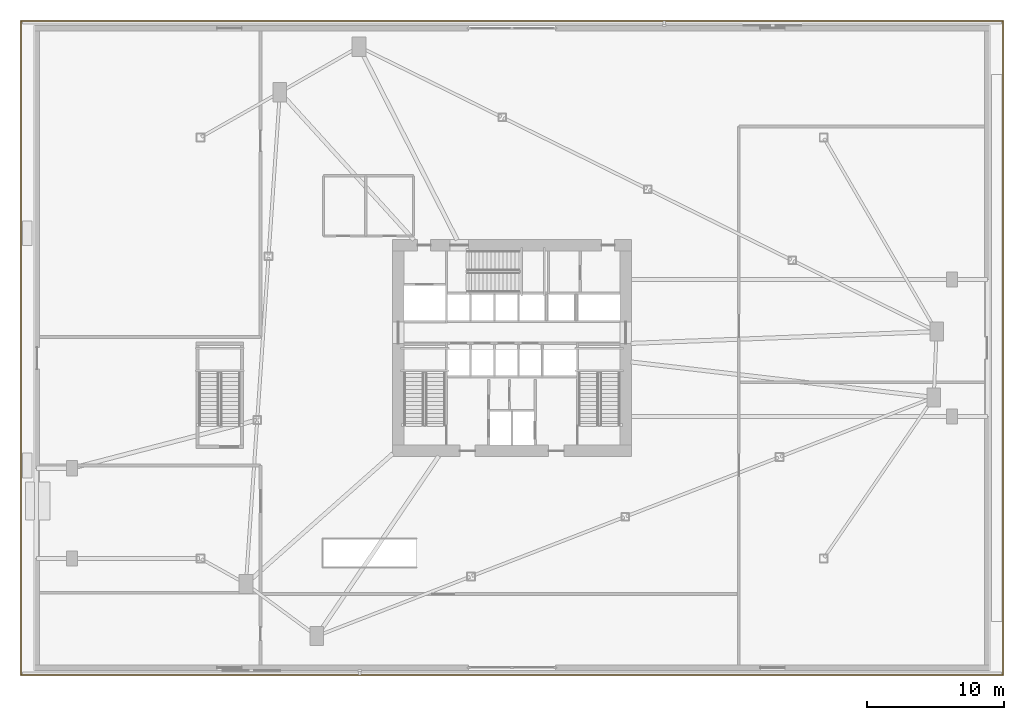
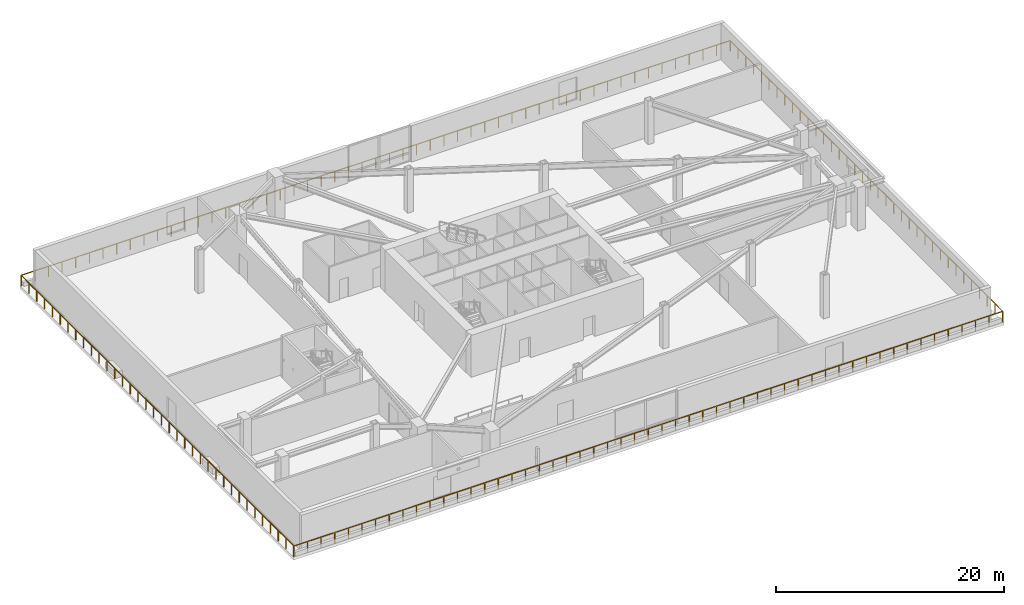
# One storey, part 12 of 14: 2 railings.
"""IFC4 building model written with IfcOpenShell, lengths in metres."""

from ifc_helpers import new_model, si_unit, direction, frame, origin, origin_2d, place, context, subcontext, project, spatial, rectangle, extrude, material, type_object, element, save


model = new_model("IFC4")

# Units and contexts
model_context = context("Model", 3, precision=1e-05, world=origin(), true_north=direction((0.0, 1.0)))
body_context = subcontext(model_context, "Body", "Model", "MODEL_VIEW")
ifc_project = project(units=[si_unit("LENGTHUNIT", "METRE"), si_unit("AREAUNIT", "SQUARE_METRE"), si_unit("VOLUMEUNIT", "CUBIC_METRE"), si_unit("PLANEANGLEUNIT", "RADIAN"), si_unit("MASSUNIT", "GRAM", prefix="KILO")], contexts=[model_context])

# Site, building, storey
site_placement = place(None, origin())
site = spatial("IfcSite", under=ifc_project, at=site_placement, CompositionType="ELEMENT")
building_placement = place(site_placement, origin())
building = spatial("IfcBuilding", under=site, at=building_placement, Name="Olszyna Solenne Hotel", CompositionType="ELEMENT")
storey_placement = place(building_placement, frame((0.0, 0.0, 5.39990234375)))
storey = spatial("IfcBuildingStorey", under=building, at=storey_placement, Name="L01", CompositionType="ELEMENT", Elevation=5.39990234375)

# Railings
ifc_material = material(Name="Steel S355J2", Category="steel")
railing_type = type_object("IfcRailingType", Name="GR-115", PredefinedType="BALUSTRADE", material=ifc_material)
railing_1_placement = place(storey_placement, frame((2.080078125, 50.52001953125, 0.0)))
element("IfcRailing", 1, at=railing_1_placement, inside=storey, type_object=railing_type, Name="Garden terrace perimeter guard balustrade GR-L01-T11", PredefinedType="BALUSTRADE", context=body_context, shape_type="SweptSolid", body=[
    extrude(rectangle(XDim=0.048095703125, YDim=0.048095703125, at=origin_2d()), frame((0.0, 0.0, 1.1259765625), z_axis=(1.0, 0.0, 0.0), x_axis=(0.0, 1.0, 0.0)), (0.0, 0.0, 1.0), 71.83984375),
    extrude(rectangle(XDim=0.048095703125, YDim=0.048095703125, at=origin_2d()), frame((71.83984375, 0.0, 1.1259765625), z_axis=(0.0, -1.0, 0.0), x_axis=(1.0, 0.0, 0.0)), (0.0, 0.0, 1.0), 47.840087890625),
    extrude(rectangle(XDim=0.0419921875, YDim=0.0419921875, at=origin_2d()), origin(), (0.0, 0.0, 1.0), 1.101806640625),
    extrude(rectangle(XDim=0.0419921875, YDim=0.0419921875, at=origin_2d()), frame((1.381591796875, 0.0, 0.0)), (0.0, 0.0, 1.0), 1.101806640625),
    extrude(rectangle(XDim=0.0419921875, YDim=0.0419921875, at=origin_2d()), frame((2.76318359375, 0.0, 0.0)), (0.0, 0.0, 1.0), 1.101806640625),
    extrude(rectangle(XDim=0.0419921875, YDim=0.0419921875, at=origin_2d()), frame((4.14453125, 0.0, 0.0)), (0.0, 0.0, 1.0), 1.101806640625),
    extrude(rectangle(XDim=0.0419921875, YDim=0.0419921875, at=origin_2d()), frame((5.526123046875, 0.0, 0.0)), (0.0, 0.0, 1.0), 1.101806640625),
    extrude(rectangle(XDim=0.0419921875, YDim=0.0419921875, at=origin_2d()), frame((6.90771484375, 0.0, 0.0)), (0.0, 0.0, 1.0), 1.101806640625),
    extrude(rectangle(XDim=0.0419921875, YDim=0.0419921875, at=origin_2d()), frame((8.289306640625, 0.0, 0.0)), (0.0, 0.0, 1.0), 1.101806640625),
    extrude(rectangle(XDim=0.0419921875, YDim=0.0419921875, at=origin_2d()), frame((9.670654296875, 0.0, 0.0)), (0.0, 0.0, 1.0), 1.101806640625),
    extrude(rectangle(XDim=0.0419921875, YDim=0.0419921875, at=origin_2d()), frame((11.05224609375, 0.0, 0.0)), (0.0, 0.0, 1.0), 1.101806640625),
    extrude(rectangle(XDim=0.0419921875, YDim=0.0419921875, at=origin_2d()), frame((12.433837890625, 0.0, 0.0)), (0.0, 0.0, 1.0), 1.101806640625),
    extrude(rectangle(XDim=0.0419921875, YDim=0.0419921875, at=origin_2d()), frame((13.8154296875, 0.0, 0.0)), (0.0, 0.0, 1.0), 1.101806640625),
    extrude(rectangle(XDim=0.0419921875, YDim=0.0419921875, at=origin_2d()), frame((15.19677734375, 0.0, 0.0)), (0.0, 0.0, 1.0), 1.101806640625),
    extrude(rectangle(XDim=0.0419921875, YDim=0.0419921875, at=origin_2d()), frame((16.578369140625, 0.0, 0.0)), (0.0, 0.0, 1.0), 1.101806640625),
    extrude(rectangle(XDim=0.0419921875, YDim=0.0419921875, at=origin_2d()), frame((17.9599609375, 0.0, 0.0)), (0.0, 0.0, 1.0), 1.101806640625),
    extrude(rectangle(XDim=0.0419921875, YDim=0.0419921875, at=origin_2d()), frame((19.341552734375, 0.0, 0.0)), (0.0, 0.0, 1.0), 1.101806640625),
    extrude(rectangle(XDim=0.0419921875, YDim=0.0419921875, at=origin_2d()), frame((20.72314453125, 0.0, 0.0)), (0.0, 0.0, 1.0), 1.101806640625),
    extrude(rectangle(XDim=0.0419921875, YDim=0.0419921875, at=origin_2d()), frame((22.1044921875, 0.0, 0.0)), (0.0, 0.0, 1.0), 1.101806640625),
    extrude(rectangle(XDim=0.0419921875, YDim=0.0419921875, at=origin_2d()), frame((23.486083984375, 0.0, 0.0)), (0.0, 0.0, 1.0), 1.101806640625),
    extrude(rectangle(XDim=0.0419921875, YDim=0.0419921875, at=origin_2d()), frame((24.86767578125, 0.0, 0.0)), (0.0, 0.0, 1.0), 1.101806640625),
    extrude(rectangle(XDim=0.0419921875, YDim=0.0419921875, at=origin_2d()), frame((26.249267578125, 0.0, 0.0)), (0.0, 0.0, 1.0), 1.101806640625),
    extrude(rectangle(XDim=0.0419921875, YDim=0.0419921875, at=origin_2d()), frame((27.630615234375, 0.0, 0.0)), (0.0, 0.0, 1.0), 1.101806640625),
    extrude(rectangle(XDim=0.0419921875, YDim=0.0419921875, at=origin_2d()), frame((29.01220703125, 0.0, 0.0)), (0.0, 0.0, 1.0), 1.101806640625),
    extrude(rectangle(XDim=0.0419921875, YDim=0.0419921875, at=origin_2d()), frame((30.393798828125, 0.0, 0.0)), (0.0, 0.0, 1.0), 1.101806640625),
    extrude(rectangle(XDim=0.0419921875, YDim=0.0419921875, at=origin_2d()), frame((31.775390625, 0.0, 0.0)), (0.0, 0.0, 1.0), 1.101806640625),
    extrude(rectangle(XDim=0.0419921875, YDim=0.0419921875, at=origin_2d()), frame((33.15673828125, 0.0, 0.0)), (0.0, 0.0, 1.0), 1.101806640625),
    extrude(rectangle(XDim=0.0419921875, YDim=0.0419921875, at=origin_2d()), frame((34.538330078125, 0.0, 0.0)), (0.0, 0.0, 1.0), 1.101806640625),
    extrude(rectangle(XDim=0.0419921875, YDim=0.0419921875, at=origin_2d()), frame((35.919921875, 0.0, 0.0)), (0.0, 0.0, 1.0), 1.101806640625),
    extrude(rectangle(XDim=0.0419921875, YDim=0.0419921875, at=origin_2d()), frame((37.301513671875, 0.0, 0.0)), (0.0, 0.0, 1.0), 1.101806640625),
    extrude(rectangle(XDim=0.0419921875, YDim=0.0419921875, at=origin_2d()), frame((38.68310546875, 0.0, 0.0)), (0.0, 0.0, 1.0), 1.101806640625),
    extrude(rectangle(XDim=0.0419921875, YDim=0.0419921875, at=origin_2d()), frame((40.064453125, 0.0, 0.0)), (0.0, 0.0, 1.0), 1.101806640625),
    extrude(rectangle(XDim=0.0419921875, YDim=0.0419921875, at=origin_2d()), frame((41.446044921875, 0.0, 0.0)), (0.0, 0.0, 1.0), 1.101806640625),
    extrude(rectangle(XDim=0.0419921875, YDim=0.0419921875, at=origin_2d()), frame((42.82763671875, 0.0, 0.0)), (0.0, 0.0, 1.0), 1.101806640625),
    extrude(rectangle(XDim=0.0419921875, YDim=0.0419921875, at=origin_2d()), frame((44.209228515625, 0.0, 0.0)), (0.0, 0.0, 1.0), 1.101806640625),
    extrude(rectangle(XDim=0.0419921875, YDim=0.0419921875, at=origin_2d()), frame((45.590576171875, 0.0, 0.0)), (0.0, 0.0, 1.0), 1.101806640625),
    extrude(rectangle(XDim=0.0419921875, YDim=0.0419921875, at=origin_2d()), frame((46.97216796875, 0.0, 0.0)), (0.0, 0.0, 1.0), 1.101806640625),
    extrude(rectangle(XDim=0.0419921875, YDim=0.0419921875, at=origin_2d()), frame((48.353759765625, 0.0, 0.0)), (0.0, 0.0, 1.0), 1.101806640625),
    extrude(rectangle(XDim=0.0419921875, YDim=0.0419921875, at=origin_2d()), frame((49.7353515625, 0.0, 0.0)), (0.0, 0.0, 1.0), 1.101806640625),
    extrude(rectangle(XDim=0.0419921875, YDim=0.0419921875, at=origin_2d()), frame((51.11669921875, 0.0, 0.0)), (0.0, 0.0, 1.0), 1.101806640625),
    extrude(rectangle(XDim=0.0419921875, YDim=0.0419921875, at=origin_2d()), frame((52.498291015625, 0.0, 0.0)), (0.0, 0.0, 1.0), 1.101806640625),
    extrude(rectangle(XDim=0.0419921875, YDim=0.0419921875, at=origin_2d()), frame((53.8798828125, 0.0, 0.0)), (0.0, 0.0, 1.0), 1.101806640625),
    extrude(rectangle(XDim=0.0419921875, YDim=0.0419921875, at=origin_2d()), frame((55.261474609375, 0.0, 0.0)), (0.0, 0.0, 1.0), 1.101806640625),
    extrude(rectangle(XDim=0.0419921875, YDim=0.0419921875, at=origin_2d()), frame((56.64306640625, 0.0, 0.0)), (0.0, 0.0, 1.0), 1.101806640625),
    extrude(rectangle(XDim=0.0419921875, YDim=0.0419921875, at=origin_2d()), frame((58.0244140625, 0.0, 0.0)), (0.0, 0.0, 1.0), 1.101806640625),
    extrude(rectangle(XDim=0.0419921875, YDim=0.0419921875, at=origin_2d()), frame((59.406005859375, 0.0, 0.0)), (0.0, 0.0, 1.0), 1.101806640625),
    extrude(rectangle(XDim=0.0419921875, YDim=0.0419921875, at=origin_2d()), frame((60.78759765625, 0.0, 0.0)), (0.0, 0.0, 1.0), 1.101806640625),
    extrude(rectangle(XDim=0.0419921875, YDim=0.0419921875, at=origin_2d()), frame((62.169189453125, 0.0, 0.0)), (0.0, 0.0, 1.0), 1.101806640625),
    extrude(rectangle(XDim=0.0419921875, YDim=0.0419921875, at=origin_2d()), frame((63.550537109375, 0.0, 0.0)), (0.0, 0.0, 1.0), 1.101806640625),
    extrude(rectangle(XDim=0.0419921875, YDim=0.0419921875, at=origin_2d()), frame((64.93212890625, 0.0, 0.0)), (0.0, 0.0, 1.0), 1.101806640625),
    extrude(rectangle(XDim=0.0419921875, YDim=0.0419921875, at=origin_2d()), frame((66.313720703125, 0.0, 0.0)), (0.0, 0.0, 1.0), 1.101806640625),
    extrude(rectangle(XDim=0.0419921875, YDim=0.0419921875, at=origin_2d()), frame((67.6953125, 0.0, 0.0)), (0.0, 0.0, 1.0), 1.101806640625),
    extrude(rectangle(XDim=0.0419921875, YDim=0.0419921875, at=origin_2d()), frame((69.07666015625, 0.0, 0.0)), (0.0, 0.0, 1.0), 1.101806640625),
    extrude(rectangle(XDim=0.0419921875, YDim=0.0419921875, at=origin_2d()), frame((70.458251953125, 0.0, 0.0)), (0.0, 0.0, 1.0), 1.101806640625),
    extrude(rectangle(XDim=0.0419921875, YDim=0.0419921875, at=origin_2d()), frame((71.83984375, 0.0, 0.0)), (0.0, 0.0, 1.0), 1.101806640625),
    extrude(rectangle(XDim=0.0419921875, YDim=0.0419921875, at=origin_2d()), frame((71.83984375, -1.366943359375, 0.0)), (0.0, 0.0, 1.0), 1.101806640625),
    extrude(rectangle(XDim=0.0419921875, YDim=0.0419921875, at=origin_2d()), frame((71.83984375, -2.733642578125, 0.0)), (0.0, 0.0, 1.0), 1.101806640625),
    extrude(rectangle(XDim=0.0419921875, YDim=0.0419921875, at=origin_2d()), frame((71.83984375, -4.1005859375, 0.0)), (0.0, 0.0, 1.0), 1.101806640625),
    extrude(rectangle(XDim=0.0419921875, YDim=0.0419921875, at=origin_2d()), frame((71.83984375, -5.467529296875, 0.0)), (0.0, 0.0, 1.0), 1.101806640625),
    extrude(rectangle(XDim=0.0419921875, YDim=0.0419921875, at=origin_2d()), frame((71.83984375, -6.834228515625, 0.0)), (0.0, 0.0, 1.0), 1.101806640625),
    extrude(rectangle(XDim=0.0419921875, YDim=0.0419921875, at=origin_2d()), frame((71.83984375, -8.201171875, 0.0)), (0.0, 0.0, 1.0), 1.101806640625),
    extrude(rectangle(XDim=0.0419921875, YDim=0.0419921875, at=origin_2d()), frame((71.83984375, -9.568115234375, 0.0)), (0.0, 0.0, 1.0), 1.101806640625),
    extrude(rectangle(XDim=0.0419921875, YDim=0.0419921875, at=origin_2d()), frame((71.83984375, -10.934814453125, 0.0)), (0.0, 0.0, 1.0), 1.101806640625),
    extrude(rectangle(XDim=0.0419921875, YDim=0.0419921875, at=origin_2d()), frame((71.83984375, -12.3017578125, 0.0)), (0.0, 0.0, 1.0), 1.101806640625),
    extrude(rectangle(XDim=0.0419921875, YDim=0.0419921875, at=origin_2d()), frame((71.83984375, -13.668701171875, 0.0)), (0.0, 0.0, 1.0), 1.101806640625),
    extrude(rectangle(XDim=0.0419921875, YDim=0.0419921875, at=origin_2d()), frame((71.83984375, -15.035400390625, 0.0)), (0.0, 0.0, 1.0), 1.101806640625),
    extrude(rectangle(XDim=0.0419921875, YDim=0.0419921875, at=origin_2d()), frame((71.83984375, -16.40234375, 0.0)), (0.0, 0.0, 1.0), 1.101806640625),
    extrude(rectangle(XDim=0.0419921875, YDim=0.0419921875, at=origin_2d()), frame((71.83984375, -17.769287109375, 0.0)), (0.0, 0.0, 1.0), 1.101806640625),
    extrude(rectangle(XDim=0.0419921875, YDim=0.0419921875, at=origin_2d()), frame((71.83984375, -19.135986328125, 0.0)), (0.0, 0.0, 1.0), 1.101806640625),
    extrude(rectangle(XDim=0.0419921875, YDim=0.0419921875, at=origin_2d()), frame((71.83984375, -20.5029296875, 0.0)), (0.0, 0.0, 1.0), 1.101806640625),
    extrude(rectangle(XDim=0.0419921875, YDim=0.0419921875, at=origin_2d()), frame((71.83984375, -21.869873046875, 0.0)), (0.0, 0.0, 1.0), 1.101806640625),
    extrude(rectangle(XDim=0.0419921875, YDim=0.0419921875, at=origin_2d()), frame((71.83984375, -23.236572265625, 0.0)), (0.0, 0.0, 1.0), 1.101806640625),
    extrude(rectangle(XDim=0.0419921875, YDim=0.0419921875, at=origin_2d()), frame((71.83984375, -24.603515625, 0.0)), (0.0, 0.0, 1.0), 1.101806640625),
    extrude(rectangle(XDim=0.0419921875, YDim=0.0419921875, at=origin_2d()), frame((71.83984375, -25.97021484375, 0.0)), (0.0, 0.0, 1.0), 1.101806640625),
    extrude(rectangle(XDim=0.0419921875, YDim=0.0419921875, at=origin_2d()), frame((71.83984375, -27.337158203125, 0.0)), (0.0, 0.0, 1.0), 1.101806640625),
    extrude(rectangle(XDim=0.0419921875, YDim=0.0419921875, at=origin_2d()), frame((71.83984375, -28.7041015625, 0.0)), (0.0, 0.0, 1.0), 1.101806640625),
    extrude(rectangle(XDim=0.0419921875, YDim=0.0419921875, at=origin_2d()), frame((71.83984375, -30.07080078125, 0.0)), (0.0, 0.0, 1.0), 1.101806640625),
    extrude(rectangle(XDim=0.0419921875, YDim=0.0419921875, at=origin_2d()), frame((71.83984375, -31.437744140625, 0.0)), (0.0, 0.0, 1.0), 1.101806640625),
    extrude(rectangle(XDim=0.0419921875, YDim=0.0419921875, at=origin_2d()), frame((71.83984375, -32.8046875, 0.0)), (0.0, 0.0, 1.0), 1.101806640625),
    extrude(rectangle(XDim=0.0419921875, YDim=0.0419921875, at=origin_2d()), frame((71.83984375, -34.17138671875, 0.0)), (0.0, 0.0, 1.0), 1.101806640625),
    extrude(rectangle(XDim=0.0419921875, YDim=0.0419921875, at=origin_2d()), frame((71.83984375, -35.538330078125, 0.0)), (0.0, 0.0, 1.0), 1.101806640625),
    extrude(rectangle(XDim=0.0419921875, YDim=0.0419921875, at=origin_2d()), frame((71.83984375, -36.9052734375, 0.0)), (0.0, 0.0, 1.0), 1.101806640625),
    extrude(rectangle(XDim=0.0419921875, YDim=0.0419921875, at=origin_2d()), frame((71.83984375, -38.27197265625, 0.0)), (0.0, 0.0, 1.0), 1.101806640625),
    extrude(rectangle(XDim=0.0419921875, YDim=0.0419921875, at=origin_2d()), frame((71.83984375, -39.638916015625, 0.0)), (0.0, 0.0, 1.0), 1.101806640625),
    extrude(rectangle(XDim=0.0419921875, YDim=0.0419921875, at=origin_2d()), frame((71.83984375, -41.005859375, 0.0)), (0.0, 0.0, 1.0), 1.101806640625),
    extrude(rectangle(XDim=0.0419921875, YDim=0.0419921875, at=origin_2d()), frame((71.83984375, -42.37255859375, 0.0)), (0.0, 0.0, 1.0), 1.101806640625),
    extrude(rectangle(XDim=0.0419921875, YDim=0.0419921875, at=origin_2d()), frame((71.83984375, -43.739501953125, 0.0)), (0.0, 0.0, 1.0), 1.101806640625),
    extrude(rectangle(XDim=0.0419921875, YDim=0.0419921875, at=origin_2d()), frame((71.83984375, -45.1064453125, 0.0)), (0.0, 0.0, 1.0), 1.101806640625),
    extrude(rectangle(XDim=0.0419921875, YDim=0.0419921875, at=origin_2d()), frame((71.83984375, -46.47314453125, 0.0)), (0.0, 0.0, 1.0), 1.101806640625),
    extrude(rectangle(XDim=0.0419921875, YDim=0.0419921875, at=origin_2d()), frame((71.83984375, -47.840087890625, 0.0)), (0.0, 0.0, 1.0), 1.101806640625),
])
railing_2_placement = place(storey_placement, frame((73.919921875, 2.679931640625, 0.0)))
element("IfcRailing", 2, at=railing_2_placement, inside=storey, type_object=railing_type, Name="Garden terrace perimeter guard balustrade GR-L01-T12", PredefinedType="BALUSTRADE", context=body_context, shape_type="SweptSolid", body=[
    extrude(rectangle(XDim=0.048095703125, YDim=0.048095703125, at=origin_2d()), frame((0.0, 0.0, 1.1259765625), z_axis=(-1.0, 0.0, 0.0), x_axis=(0.0, -1.0, 0.0)), (0.0, 0.0, 1.0), 71.83984375),
    extrude(rectangle(XDim=0.048095703125, YDim=0.048095703125, at=origin_2d()), frame((-71.83984375, 0.0, 1.1259765625), z_axis=(0.0, 1.0, 0.0), x_axis=(-1.0, 0.0, 0.0)), (0.0, 0.0, 1.0), 47.840087890625),
    extrude(rectangle(XDim=0.0419921875, YDim=0.0419921875, at=origin_2d()), origin(), (0.0, 0.0, 1.0), 1.101806640625),
    extrude(rectangle(XDim=0.0419921875, YDim=0.0419921875, at=origin_2d()), frame((-1.381591796875, 0.0, 0.0)), (0.0, 0.0, 1.0), 1.101806640625),
    extrude(rectangle(XDim=0.0419921875, YDim=0.0419921875, at=origin_2d()), frame((-2.76318359375, 0.0, 0.0)), (0.0, 0.0, 1.0), 1.101806640625),
    extrude(rectangle(XDim=0.0419921875, YDim=0.0419921875, at=origin_2d()), frame((-4.14453125, 0.0, 0.0)), (0.0, 0.0, 1.0), 1.101806640625),
    extrude(rectangle(XDim=0.0419921875, YDim=0.0419921875, at=origin_2d()), frame((-5.526123046875, 0.0, 0.0)), (0.0, 0.0, 1.0), 1.101806640625),
    extrude(rectangle(XDim=0.0419921875, YDim=0.0419921875, at=origin_2d()), frame((-6.90771484375, 0.0, 0.0)), (0.0, 0.0, 1.0), 1.101806640625),
    extrude(rectangle(XDim=0.0419921875, YDim=0.0419921875, at=origin_2d()), frame((-8.289306640625, 0.0, 0.0)), (0.0, 0.0, 1.0), 1.101806640625),
    extrude(rectangle(XDim=0.0419921875, YDim=0.0419921875, at=origin_2d()), frame((-9.670654296875, 0.0, 0.0)), (0.0, 0.0, 1.0), 1.101806640625),
    extrude(rectangle(XDim=0.0419921875, YDim=0.0419921875, at=origin_2d()), frame((-11.05224609375, 0.0, 0.0)), (0.0, 0.0, 1.0), 1.101806640625),
    extrude(rectangle(XDim=0.0419921875, YDim=0.0419921875, at=origin_2d()), frame((-12.433837890625, 0.0, 0.0)), (0.0, 0.0, 1.0), 1.101806640625),
    extrude(rectangle(XDim=0.0419921875, YDim=0.0419921875, at=origin_2d()), frame((-13.8154296875, 0.0, 0.0)), (0.0, 0.0, 1.0), 1.101806640625),
    extrude(rectangle(XDim=0.0419921875, YDim=0.0419921875, at=origin_2d()), frame((-15.19677734375, 0.0, 0.0)), (0.0, 0.0, 1.0), 1.101806640625),
    extrude(rectangle(XDim=0.0419921875, YDim=0.0419921875, at=origin_2d()), frame((-16.578369140625, 0.0, 0.0)), (0.0, 0.0, 1.0), 1.101806640625),
    extrude(rectangle(XDim=0.0419921875, YDim=0.0419921875, at=origin_2d()), frame((-17.9599609375, 0.0, 0.0)), (0.0, 0.0, 1.0), 1.101806640625),
    extrude(rectangle(XDim=0.0419921875, YDim=0.0419921875, at=origin_2d()), frame((-19.341552734375, 0.0, 0.0)), (0.0, 0.0, 1.0), 1.101806640625),
    extrude(rectangle(XDim=0.0419921875, YDim=0.0419921875, at=origin_2d()), frame((-20.72314453125, 0.0, 0.0)), (0.0, 0.0, 1.0), 1.101806640625),
    extrude(rectangle(XDim=0.0419921875, YDim=0.0419921875, at=origin_2d()), frame((-22.1044921875, 0.0, 0.0)), (0.0, 0.0, 1.0), 1.101806640625),
    extrude(rectangle(XDim=0.0419921875, YDim=0.0419921875, at=origin_2d()), frame((-23.486083984375, 0.0, 0.0)), (0.0, 0.0, 1.0), 1.101806640625),
    extrude(rectangle(XDim=0.0419921875, YDim=0.0419921875, at=origin_2d()), frame((-24.86767578125, 0.0, 0.0)), (0.0, 0.0, 1.0), 1.101806640625),
    extrude(rectangle(XDim=0.0419921875, YDim=0.0419921875, at=origin_2d()), frame((-26.249267578125, 0.0, 0.0)), (0.0, 0.0, 1.0), 1.101806640625),
    extrude(rectangle(XDim=0.0419921875, YDim=0.0419921875, at=origin_2d()), frame((-27.630615234375, 0.0, 0.0)), (0.0, 0.0, 1.0), 1.101806640625),
    extrude(rectangle(XDim=0.0419921875, YDim=0.0419921875, at=origin_2d()), frame((-29.01220703125, 0.0, 0.0)), (0.0, 0.0, 1.0), 1.101806640625),
    extrude(rectangle(XDim=0.0419921875, YDim=0.0419921875, at=origin_2d()), frame((-30.393798828125, 0.0, 0.0)), (0.0, 0.0, 1.0), 1.101806640625),
    extrude(rectangle(XDim=0.0419921875, YDim=0.0419921875, at=origin_2d()), frame((-31.775390625, 0.0, 0.0)), (0.0, 0.0, 1.0), 1.101806640625),
    extrude(rectangle(XDim=0.0419921875, YDim=0.0419921875, at=origin_2d()), frame((-33.15673828125, 0.0, 0.0)), (0.0, 0.0, 1.0), 1.101806640625),
    extrude(rectangle(XDim=0.0419921875, YDim=0.0419921875, at=origin_2d()), frame((-34.538330078125, 0.0, 0.0)), (0.0, 0.0, 1.0), 1.101806640625),
    extrude(rectangle(XDim=0.0419921875, YDim=0.0419921875, at=origin_2d()), frame((-35.919921875, 0.0, 0.0)), (0.0, 0.0, 1.0), 1.101806640625),
    extrude(rectangle(XDim=0.0419921875, YDim=0.0419921875, at=origin_2d()), frame((-37.301513671875, 0.0, 0.0)), (0.0, 0.0, 1.0), 1.101806640625),
    extrude(rectangle(XDim=0.0419921875, YDim=0.0419921875, at=origin_2d()), frame((-38.68310546875, 0.0, 0.0)), (0.0, 0.0, 1.0), 1.101806640625),
    extrude(rectangle(XDim=0.0419921875, YDim=0.0419921875, at=origin_2d()), frame((-40.064453125, 0.0, 0.0)), (0.0, 0.0, 1.0), 1.101806640625),
    extrude(rectangle(XDim=0.0419921875, YDim=0.0419921875, at=origin_2d()), frame((-41.446044921875, 0.0, 0.0)), (0.0, 0.0, 1.0), 1.101806640625),
    extrude(rectangle(XDim=0.0419921875, YDim=0.0419921875, at=origin_2d()), frame((-42.82763671875, 0.0, 0.0)), (0.0, 0.0, 1.0), 1.101806640625),
    extrude(rectangle(XDim=0.0419921875, YDim=0.0419921875, at=origin_2d()), frame((-44.209228515625, 0.0, 0.0)), (0.0, 0.0, 1.0), 1.101806640625),
    extrude(rectangle(XDim=0.0419921875, YDim=0.0419921875, at=origin_2d()), frame((-45.590576171875, 0.0, 0.0)), (0.0, 0.0, 1.0), 1.101806640625),
    extrude(rectangle(XDim=0.0419921875, YDim=0.0419921875, at=origin_2d()), frame((-46.97216796875, 0.0, 0.0)), (0.0, 0.0, 1.0), 1.101806640625),
    extrude(rectangle(XDim=0.0419921875, YDim=0.0419921875, at=origin_2d()), frame((-48.353759765625, 0.0, 0.0)), (0.0, 0.0, 1.0), 1.101806640625),
    extrude(rectangle(XDim=0.0419921875, YDim=0.0419921875, at=origin_2d()), frame((-49.7353515625, 0.0, 0.0)), (0.0, 0.0, 1.0), 1.101806640625),
    extrude(rectangle(XDim=0.0419921875, YDim=0.0419921875, at=origin_2d()), frame((-51.11669921875, 0.0, 0.0)), (0.0, 0.0, 1.0), 1.101806640625),
    extrude(rectangle(XDim=0.0419921875, YDim=0.0419921875, at=origin_2d()), frame((-52.498291015625, 0.0, 0.0)), (0.0, 0.0, 1.0), 1.101806640625),
    extrude(rectangle(XDim=0.0419921875, YDim=0.0419921875, at=origin_2d()), frame((-53.8798828125, 0.0, 0.0)), (0.0, 0.0, 1.0), 1.101806640625),
    extrude(rectangle(XDim=0.0419921875, YDim=0.0419921875, at=origin_2d()), frame((-55.261474609375, 0.0, 0.0)), (0.0, 0.0, 1.0), 1.101806640625),
    extrude(rectangle(XDim=0.0419921875, YDim=0.0419921875, at=origin_2d()), frame((-56.64306640625, 0.0, 0.0)), (0.0, 0.0, 1.0), 1.101806640625),
    extrude(rectangle(XDim=0.0419921875, YDim=0.0419921875, at=origin_2d()), frame((-58.0244140625, 0.0, 0.0)), (0.0, 0.0, 1.0), 1.101806640625),
    extrude(rectangle(XDim=0.0419921875, YDim=0.0419921875, at=origin_2d()), frame((-59.406005859375, 0.0, 0.0)), (0.0, 0.0, 1.0), 1.101806640625),
    extrude(rectangle(XDim=0.0419921875, YDim=0.0419921875, at=origin_2d()), frame((-60.78759765625, 0.0, 0.0)), (0.0, 0.0, 1.0), 1.101806640625),
    extrude(rectangle(XDim=0.0419921875, YDim=0.0419921875, at=origin_2d()), frame((-62.169189453125, 0.0, 0.0)), (0.0, 0.0, 1.0), 1.101806640625),
    extrude(rectangle(XDim=0.0419921875, YDim=0.0419921875, at=origin_2d()), frame((-63.550537109375, 0.0, 0.0)), (0.0, 0.0, 1.0), 1.101806640625),
    extrude(rectangle(XDim=0.0419921875, YDim=0.0419921875, at=origin_2d()), frame((-64.93212890625, 0.0, 0.0)), (0.0, 0.0, 1.0), 1.101806640625),
    extrude(rectangle(XDim=0.0419921875, YDim=0.0419921875, at=origin_2d()), frame((-66.313720703125, 0.0, 0.0)), (0.0, 0.0, 1.0), 1.101806640625),
    extrude(rectangle(XDim=0.0419921875, YDim=0.0419921875, at=origin_2d()), frame((-67.6953125, 0.0, 0.0)), (0.0, 0.0, 1.0), 1.101806640625),
    extrude(rectangle(XDim=0.0419921875, YDim=0.0419921875, at=origin_2d()), frame((-69.07666015625, 0.0, 0.0)), (0.0, 0.0, 1.0), 1.101806640625),
    extrude(rectangle(XDim=0.0419921875, YDim=0.0419921875, at=origin_2d()), frame((-70.458251953125, 0.0, 0.0)), (0.0, 0.0, 1.0), 1.101806640625),
    extrude(rectangle(XDim=0.0419921875, YDim=0.0419921875, at=origin_2d()), frame((-71.83984375, 0.0, 0.0)), (0.0, 0.0, 1.0), 1.101806640625),
    extrude(rectangle(XDim=0.0419921875, YDim=0.0419921875, at=origin_2d()), frame((-71.83984375, 1.366943359375, 0.0)), (0.0, 0.0, 1.0), 1.101806640625),
    extrude(rectangle(XDim=0.0419921875, YDim=0.0419921875, at=origin_2d()), frame((-71.83984375, 2.733642578125, 0.0)), (0.0, 0.0, 1.0), 1.101806640625),
    extrude(rectangle(XDim=0.0419921875, YDim=0.0419921875, at=origin_2d()), frame((-71.83984375, 4.1005859375, 0.0)), (0.0, 0.0, 1.0), 1.101806640625),
    extrude(rectangle(XDim=0.0419921875, YDim=0.0419921875, at=origin_2d()), frame((-71.83984375, 5.467529296875, 0.0)), (0.0, 0.0, 1.0), 1.101806640625),
    extrude(rectangle(XDim=0.0419921875, YDim=0.0419921875, at=origin_2d()), frame((-71.83984375, 6.834228515625, 0.0)), (0.0, 0.0, 1.0), 1.101806640625),
    extrude(rectangle(XDim=0.0419921875, YDim=0.0419921875, at=origin_2d()), frame((-71.83984375, 8.201171875, 0.0)), (0.0, 0.0, 1.0), 1.101806640625),
    extrude(rectangle(XDim=0.0419921875, YDim=0.0419921875, at=origin_2d()), frame((-71.83984375, 9.568115234375, 0.0)), (0.0, 0.0, 1.0), 1.101806640625),
    extrude(rectangle(XDim=0.0419921875, YDim=0.0419921875, at=origin_2d()), frame((-71.83984375, 10.934814453125, 0.0)), (0.0, 0.0, 1.0), 1.101806640625),
    extrude(rectangle(XDim=0.0419921875, YDim=0.0419921875, at=origin_2d()), frame((-71.83984375, 12.3017578125, 0.0)), (0.0, 0.0, 1.0), 1.101806640625),
    extrude(rectangle(XDim=0.0419921875, YDim=0.0419921875, at=origin_2d()), frame((-71.83984375, 13.668701171875, 0.0)), (0.0, 0.0, 1.0), 1.101806640625),
    extrude(rectangle(XDim=0.0419921875, YDim=0.0419921875, at=origin_2d()), frame((-71.83984375, 15.035400390625, 0.0)), (0.0, 0.0, 1.0), 1.101806640625),
    extrude(rectangle(XDim=0.0419921875, YDim=0.0419921875, at=origin_2d()), frame((-71.83984375, 16.40234375, 0.0)), (0.0, 0.0, 1.0), 1.101806640625),
    extrude(rectangle(XDim=0.0419921875, YDim=0.0419921875, at=origin_2d()), frame((-71.83984375, 17.769287109375, 0.0)), (0.0, 0.0, 1.0), 1.101806640625),
    extrude(rectangle(XDim=0.0419921875, YDim=0.0419921875, at=origin_2d()), frame((-71.83984375, 19.135986328125, 0.0)), (0.0, 0.0, 1.0), 1.101806640625),
    extrude(rectangle(XDim=0.0419921875, YDim=0.0419921875, at=origin_2d()), frame((-71.83984375, 20.5029296875, 0.0)), (0.0, 0.0, 1.0), 1.101806640625),
    extrude(rectangle(XDim=0.0419921875, YDim=0.0419921875, at=origin_2d()), frame((-71.83984375, 21.869873046875, 0.0)), (0.0, 0.0, 1.0), 1.101806640625),
    extrude(rectangle(XDim=0.0419921875, YDim=0.0419921875, at=origin_2d()), frame((-71.83984375, 23.236572265625, 0.0)), (0.0, 0.0, 1.0), 1.101806640625),
    extrude(rectangle(XDim=0.0419921875, YDim=0.0419921875, at=origin_2d()), frame((-71.83984375, 24.603515625, 0.0)), (0.0, 0.0, 1.0), 1.101806640625),
    extrude(rectangle(XDim=0.0419921875, YDim=0.0419921875, at=origin_2d()), frame((-71.83984375, 25.97021484375, 0.0)), (0.0, 0.0, 1.0), 1.101806640625),
    extrude(rectangle(XDim=0.0419921875, YDim=0.0419921875, at=origin_2d()), frame((-71.83984375, 27.337158203125, 0.0)), (0.0, 0.0, 1.0), 1.101806640625),
    extrude(rectangle(XDim=0.0419921875, YDim=0.0419921875, at=origin_2d()), frame((-71.83984375, 28.7041015625, 0.0)), (0.0, 0.0, 1.0), 1.101806640625),
    extrude(rectangle(XDim=0.0419921875, YDim=0.0419921875, at=origin_2d()), frame((-71.83984375, 30.07080078125, 0.0)), (0.0, 0.0, 1.0), 1.101806640625),
    extrude(rectangle(XDim=0.0419921875, YDim=0.0419921875, at=origin_2d()), frame((-71.83984375, 31.437744140625, 0.0)), (0.0, 0.0, 1.0), 1.101806640625),
    extrude(rectangle(XDim=0.0419921875, YDim=0.0419921875, at=origin_2d()), frame((-71.83984375, 32.8046875, 0.0)), (0.0, 0.0, 1.0), 1.101806640625),
    extrude(rectangle(XDim=0.0419921875, YDim=0.0419921875, at=origin_2d()), frame((-71.83984375, 34.17138671875, 0.0)), (0.0, 0.0, 1.0), 1.101806640625),
    extrude(rectangle(XDim=0.0419921875, YDim=0.0419921875, at=origin_2d()), frame((-71.83984375, 35.538330078125, 0.0)), (0.0, 0.0, 1.0), 1.101806640625),
    extrude(rectangle(XDim=0.0419921875, YDim=0.0419921875, at=origin_2d()), frame((-71.83984375, 36.9052734375, 0.0)), (0.0, 0.0, 1.0), 1.101806640625),
    extrude(rectangle(XDim=0.0419921875, YDim=0.0419921875, at=origin_2d()), frame((-71.83984375, 38.27197265625, 0.0)), (0.0, 0.0, 1.0), 1.101806640625),
    extrude(rectangle(XDim=0.0419921875, YDim=0.0419921875, at=origin_2d()), frame((-71.83984375, 39.638916015625, 0.0)), (0.0, 0.0, 1.0), 1.101806640625),
    extrude(rectangle(XDim=0.0419921875, YDim=0.0419921875, at=origin_2d()), frame((-71.83984375, 41.005859375, 0.0)), (0.0, 0.0, 1.0), 1.101806640625),
    extrude(rectangle(XDim=0.0419921875, YDim=0.0419921875, at=origin_2d()), frame((-71.83984375, 42.37255859375, 0.0)), (0.0, 0.0, 1.0), 1.101806640625),
    extrude(rectangle(XDim=0.0419921875, YDim=0.0419921875, at=origin_2d()), frame((-71.83984375, 43.739501953125, 0.0)), (0.0, 0.0, 1.0), 1.101806640625),
    extrude(rectangle(XDim=0.0419921875, YDim=0.0419921875, at=origin_2d()), frame((-71.83984375, 45.1064453125, 0.0)), (0.0, 0.0, 1.0), 1.101806640625),
    extrude(rectangle(XDim=0.0419921875, YDim=0.0419921875, at=origin_2d()), frame((-71.83984375, 46.47314453125, 0.0)), (0.0, 0.0, 1.0), 1.101806640625),
    extrude(rectangle(XDim=0.0419921875, YDim=0.0419921875, at=origin_2d()), frame((-71.83984375, 47.840087890625, 0.0)), (0.0, 0.0, 1.0), 1.101806640625),
])

save(model, "model.ifc")
